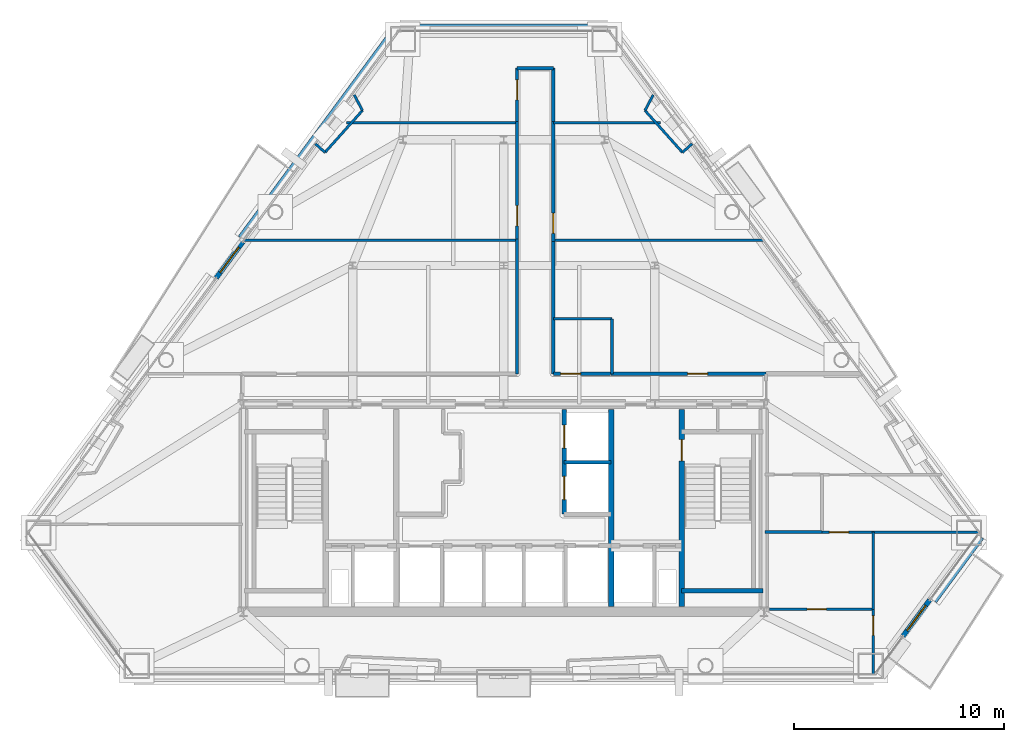
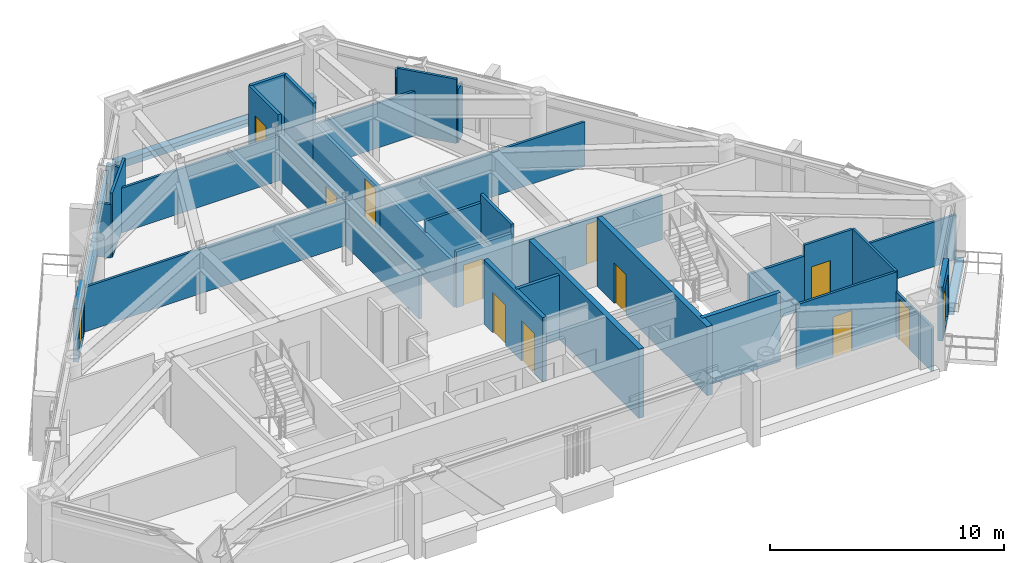
# One storey, part 8 of 11: 37 walls, 13 doors, 13 openings.
"""IFC4 building model written with IfcOpenShell, lengths in metres."""

import ifcopenshell
import ifcopenshell.guid

model = None  # the IFC model being written
_history = None  # IfcOwnerHistory: only IFC2X3 demands one
_inside = {}  # id of a spatial element -> (the spatial element, [elements in it])
_under = {}  # id of a project, library or spatial element -> (it, [spatial elements below it])
_declared = {}  # id of a project -> (the project, [libraries it declares])
_typed = {}  # id of a type object -> (the type object, [elements of that type])
_made_of = {}  # id of a material, layer set ... -> (it, [elements and type objects made of it])


def new_model(schema):
    """Start an empty IFC model of exactly this schema.

    Asked for "IFC4X3", IfcOpenShell would pick the latest addendum, in which some entities
    have other attributes; the version numbers below select the first issue.
    IFC2X3 requires an IfcOwnerHistory on every rooted entity: one is made here for all.
    """
    global model, _history
    if schema == "IFC4X3":
        model = ifcopenshell.file(schema_version=(4, 3, 0, 0))
    else:
        model = ifcopenshell.file(schema=schema)
    _inside.clear()
    _under.clear()
    _declared.clear()
    _typed.clear()
    _made_of.clear()
    _history = None
    if model.schema == "IFC2X3":
        org = make("IfcOrganization", Name="unknown")
        user = make(
            "IfcPersonAndOrganization",
            ThePerson=make("IfcPerson", FamilyName="unknown"),
            TheOrganization=org,
        )
        app = make(
            "IfcApplication",
            ApplicationDeveloper=org,
            Version="unknown",
            ApplicationFullName="unknown",
            ApplicationIdentifier="unknown",
        )
        _history = make(
            "IfcOwnerHistory",
            OwningUser=user,
            OwningApplication=app,
            ChangeAction="ADDED",
            CreationDate=0,
        )
    return model


def make(cls, **values):
    """One entity of the class cls with the attributes given. An attribute that is None is left unset."""
    return model.create_entity(
        cls, **{name: value for name, value in values.items() if value is not None}
    )


def rooted(cls, **values):
    """An entity with a GlobalId (a new one), such as an element, a storey or a relation."""
    return make(cls, GlobalId=ifcopenshell.guid.new(), OwnerHistory=_history, **values)


def si_unit(unit_type, name, prefix=None):
    """IfcSIUnit, for example si_unit("LENGTHUNIT", "METRE", prefix="MILLI")."""
    return make("IfcSIUnit", UnitType=unit_type, Prefix=prefix, Name=name)


def assignment(units):
    """IfcUnitAssignment: the units of a project."""
    return None if units is None else make("IfcUnitAssignment", Units=units)


def point(xyz):
    """IfcCartesianPoint."""
    return None if xyz is None else make("IfcCartesianPoint", Coordinates=xyz)


def direction(xyz):
    """IfcDirection."""
    return None if xyz is None else make("IfcDirection", DirectionRatios=xyz)


def frame(location, z_axis=None, x_axis=None):
    """IfcAxis2Placement3D, a coordinate frame: its origin and axes. An axis left out is left unset."""
    return make(
        "IfcAxis2Placement3D",
        Location=point(location),
        Axis=direction(z_axis),
        RefDirection=direction(x_axis),
    )


def frame_2d(location, x_axis=None):
    """IfcAxis2Placement2D, a coordinate frame in the plane: its origin and x axis."""
    return make(
        "IfcAxis2Placement2D", Location=point(location), RefDirection=direction(x_axis)
    )


def origin():
    """The frame at (0, 0, 0) with its axes left unset."""
    return frame((0.0, 0.0, 0.0))


def place(relative_to, where):
    """IfcLocalPlacement: puts the frame where relative to a parent placement (None: the world)."""
    return make(
        "IfcLocalPlacement", PlacementRelTo=relative_to, RelativePlacement=where
    )


def context(
    kind, dimensions, precision=None, world=None, true_north=None, identifier=None
):
    """IfcGeometricRepresentationContext, for example the 3D "Model" context."""
    return make(
        "IfcGeometricRepresentationContext",
        ContextIdentifier=identifier,
        ContextType=kind,
        CoordinateSpaceDimension=dimensions,
        Precision=precision,
        WorldCoordinateSystem=world,
        TrueNorth=true_north,
    )


def subcontext(parent, identifier, kind, view, scale=None):
    """IfcGeometricRepresentationSubContext, for example "Body" below "Model"."""
    return make(
        "IfcGeometricRepresentationSubContext",
        ContextIdentifier=identifier,
        ContextType=kind,
        ParentContext=parent,
        TargetScale=scale,
        TargetView=view,
    )


def project(units=None, contexts=None):
    """IfcProject with its units and contexts."""
    return rooted(
        "IfcProject",
        Name="project",
        RepresentationContexts=contexts,
        UnitsInContext=assignment(units),
    )


def spatial(cls, under=None, at=None, **own):
    """A site, building, storey or space (cls), placed at a placement, below another one or the project."""
    s = rooted(cls, ObjectPlacement=at, **own)
    if under is not None:
        _under.setdefault(under.id(), (under, []))[1].append(s)
    return s


def profile(cls, at=None, kind="AREA", **sizes):
    """A parametric profile (cls). Its sizes go by their IFC names, for example OverallWidth=200.0."""
    return make(cls, ProfileType=kind, Position=at, **sizes)


def rectangle(**sizes):
    """IfcRectangleProfileDef."""
    return profile("IfcRectangleProfileDef", **sizes)


def extrude(swept, where, along, depth):
    """IfcExtrudedAreaSolid: the profile swept, set in the frame where, extruded along a direction by depth."""
    return make(
        "IfcExtrudedAreaSolid",
        SweptArea=swept,
        Position=where,
        ExtrudedDirection=direction(along),
        Depth=depth,
    )


def shape(context_of_items, identifier, shape_type, items):
    """IfcShapeRepresentation: the items that make up one representation, for example the "Body"."""
    return make(
        "IfcShapeRepresentation",
        ContextOfItems=context_of_items,
        RepresentationIdentifier=identifier,
        RepresentationType=shape_type,
        Items=items,
    )


def material(Name=None, Category=None):
    """IfcMaterial."""
    return make("IfcMaterial", Name=Name, Category=Category)


def layer(
    of_material, thickness, ventilated=None, Name=None, Category=None, Priority=None
):
    """IfcMaterialLayer: one layer of a wall or slab, of a material (None: an air gap)."""
    return make(
        "IfcMaterialLayer",
        Material=of_material,
        LayerThickness=thickness,
        IsVentilated=ventilated,
        Name=Name,
        Category=Category,
        Priority=Priority,
    )


def layer_set(layers, Name=None):
    """IfcMaterialLayerSet."""
    return make("IfcMaterialLayerSet", MaterialLayers=layers, LayerSetName=Name)


def made_of(thing, what):
    """Note that an element or type object is made of a material, layer set ...; save() writes the relation."""
    if what is not None:
        _made_of.setdefault(what.id(), (what, []))[1].append(thing)
    return thing


def type_object(cls, material=None, **own):
    """A type object (cls), such as IfcWallType, which elements share."""
    return made_of(rooted(cls, **own), material)


def element(
    cls,
    number,
    at=None,
    inside=None,
    cuts=None,
    type_object=None,
    material=None,
    context=None,
    identifier="Body",
    shape_type=None,
    held_by="IfcProductDefinitionShape",
    body=None,
    shapes=None,
    **own,
):
    """One element of the class cls, such as IfcWall. Its Tag is "e" and its number.

    at: its placement. inside: the storey or other place that contains it. cuts: it is an
    opening in that element (IfcRelVoidsElement). A single representation is given by context,
    identifier, shape_type and body (its items); several are given by shapes. held_by: the class
    of the entity that holds the representations. save() writes the other relations.
    """
    e = rooted(cls, Tag="e%d" % number, ObjectPlacement=at, **own)
    if body is not None:
        shapes = [shape(context, identifier, shape_type, body)]
    if shapes is not None:
        e.Representation = make(held_by, Representations=shapes)
    if inside is not None:
        _inside.setdefault(inside.id(), (inside, []))[1].append(e)
    if cuts is not None:
        rooted(
            "IfcRelVoidsElement", RelatingBuildingElement=cuts, RelatedOpeningElement=e
        )
    if type_object is not None:
        _typed.setdefault(type_object.id(), (type_object, []))[1].append(e)
    return made_of(e, material)


def fill(opening, filler):
    """IfcRelFillsElement: the door or window that sits in an opening."""
    return rooted(
        "IfcRelFillsElement",
        RelatingOpeningElement=opening,
        RelatedBuildingElement=filler,
    )


def aggregate(whole, parts):
    """IfcRelAggregates: a whole, such as a stair, and the parts it consists of."""
    return rooted("IfcRelAggregates", RelatingObject=whole, RelatedObjects=parts)


def save(model, path):
    """Write the relations noted so far, then the file.

    IfcRelAggregates (storeys below a building ...), IfcRelContainedInSpatialStructure (elements
    in a storey), IfcRelDefinesByType, IfcRelAssociatesMaterial and IfcRelDeclares: one each for
    every whole, place, type object, material and project.
    """
    for whole, parts in _under.values():
        aggregate(whole, parts)
    for where, things in _inside.values():
        rooted(
            "IfcRelContainedInSpatialStructure",
            RelatedElements=things,
            RelatingStructure=where,
        )
    for kind, things in _typed.values():
        rooted("IfcRelDefinesByType", RelatedObjects=things, RelatingType=kind)
    for what, things in _made_of.values():
        rooted("IfcRelAssociatesMaterial", RelatedObjects=things, RelatingMaterial=what)
    for by, libraries in _declared.values():
        rooted("IfcRelDeclares", RelatingContext=by, RelatedDefinitions=libraries)
    model.write(path)


model = new_model("IFC4")

# Units and contexts
model_context = context("Model", 3, precision=1e-05, world=origin(), true_north=direction((0.0, 1.0)))
body_context = subcontext(model_context, "Body", "Model", "MODEL_VIEW")
ifc_project = project(units=[si_unit("LENGTHUNIT", "METRE"), si_unit("AREAUNIT", "SQUARE_METRE"), si_unit("VOLUMEUNIT", "CUBIC_METRE"), si_unit("PLANEANGLEUNIT", "RADIAN"), si_unit("MASSUNIT", "GRAM", prefix="KILO")], contexts=[model_context])

# Site, building, storey
site_placement = place(None, origin())
site = spatial("IfcSite", under=ifc_project, at=site_placement, CompositionType="ELEMENT")
building_placement = place(site_placement, origin())
building = spatial("IfcBuilding", under=site, at=building_placement, Name="Talgorran Terracotta Tower", CompositionType="ELEMENT")
storey_placement = place(building_placement, frame((0.0, 0.0, 154.5)))
storey = spatial("IfcBuildingStorey", under=building, at=storey_placement, Name="L40", CompositionType="ELEMENT", Elevation=154.5)

# Wall, opening, door
ifc_material_1 = material(Name="Concrete C40/50", Category="concrete")
ifc_layer_1 = layer(ifc_material_1, 0.239990234375, Name="WT_BALCONY_SPAND")
ifc_layer_set_1 = layer_set([ifc_layer_1], Name="Concrete C40/50")
wall_type_1 = type_object("IfcWallType", Name="WT_BALCONY_SPAND", PredefinedType="STANDARD", material=ifc_layer_set_1)
wall_1_placement = place(storey_placement, frame((-12.429443359375, 3.529052734375, -0.014892578125), z_axis=(0.0, 0.0, 1.0), x_axis=(-0.594050978498, -0.804427395696, 0.0)))
wall_1 = element("IfcWall", 1, at=wall_1_placement, inside=storey, type_object=wall_type_1, Name="WL-L40-BALP-BAL-NW", PredefinedType="STANDARD", context=body_context, shape_type="SweptSolid", body=[
    extrude(rectangle(XDim=2.139892578125, YDim=0.239990234375, at=frame_2d((1.06982421875, 0.0))), origin(), (0.0, 0.0, 1.0), 2.806884765625),
])
opening_1_placement = place(wall_1_placement, frame((0.320068359375, 0.0, 0.014892578125)))
opening_1 = element("IfcOpeningElement", 2, at=opening_1_placement, cuts=wall_1, Name="Opening D-BAL-L40-2", PredefinedType="OPENING", context=body_context, shape_type="SweptSolid", body=[
    extrude(rectangle(XDim=1.506, YDim=2.203951171875, at=frame_2d((0.75, 1.10205078125))), frame((0.0, 0.1298828125, 0.0), z_axis=(0.0, -1.0, 0.0), x_axis=(1.0, 0.0, 0.0)), (0.0, 0.0, 1.0), 0.260009765625),
])
ifc_material_2 = material(Name="Thermally Broken Aluminium", Category="aluminium")
door_type_1 = type_object("IfcDoorType", Name="DT_BALC_1500", OperationType="SLIDING_TO_RIGHT", PredefinedType="DOOR", material=ifc_material_2)
door_1_placement = place(opening_1_placement, origin())
door_1 = element("IfcDoor", 3, at=door_1_placement, inside=storey, type_object=door_type_1, Name="DR-L40-BAL-BAL-NW", OperationType="SLIDING_TO_RIGHT", OverallHeight=2.199951171875, OverallWidth=1.5, PredefinedType="DOOR", context=body_context, shape_type="SweptSolid", body=[
    extrude(rectangle(XDim=1.5, YDim=2.199951171875, at=frame_2d((0.75, 1.10009765625))), frame((0.0, 0.02490234375, 0.0), z_axis=(0.0, -1.0, 0.0), x_axis=(1.0, 0.0, 0.0)), (0.0, 0.0, 1.0), 0.050048828125),
])
fill(opening_1, door_1)

wall_2_placement = place(storey_placement, frame((19.028076171875, -15.25634765625, -0.014892578125), z_axis=(0.0, 0.0, 1.0), x_axis=(0.594124797079, 0.804372877151, 0.0)))
wall_2 = element("IfcWall", 4, at=wall_2_placement, inside=storey, type_object=wall_type_1, Name="WL-L40-BALP-BAL-SE", PredefinedType="STANDARD", context=body_context, shape_type="SweptSolid", body=[
    extrude(rectangle(XDim=2.14013671875, YDim=0.239990234375, at=frame_2d((1.070068359375, 0.0))), origin(), (0.0, 0.0, 1.0), 2.806884765625),
])
opening_2_placement = place(wall_2_placement, frame((0.320068359375, 0.0, 0.014892578125)))
opening_2 = element("IfcOpeningElement", 5, at=opening_2_placement, cuts=wall_2, Name="Opening D-BAL-L40-3", PredefinedType="OPENING", context=body_context, shape_type="SweptSolid", body=[
    extrude(rectangle(XDim=1.506, YDim=2.203951171875, at=frame_2d((0.75, 1.10205078125))), frame((0.0, 0.1298828125, 0.0), z_axis=(0.0, -1.0, 0.0), x_axis=(1.0, 0.0, 0.0)), (0.0, 0.0, 1.0), 0.260009765625),
])
door_2_placement = place(opening_2_placement, origin())
door_2 = element("IfcDoor", 6, at=door_2_placement, inside=storey, type_object=door_type_1, Name="DR-L40-BAL-BAL-SE", OperationType="SLIDING_TO_RIGHT", OverallHeight=2.199951171875, OverallWidth=1.5, PredefinedType="DOOR", context=body_context, shape_type="SweptSolid", body=[
    extrude(rectangle(XDim=1.5, YDim=2.199951171875, at=frame_2d((0.75, 1.10009765625))), frame((0.0, 0.02490234375, 0.0), z_axis=(0.0, -1.0, 0.0), x_axis=(1.0, 0.0, 0.0)), (0.0, 0.0, 1.0), 0.050048828125),
])
fill(opening_2, door_2)

# Wall
ifc_material_3 = material(Name="Concrete C50/60", Category="concrete")
ifc_layer_2 = layer(ifc_material_3, 0.199951171875, Name="WT_CORE_200")
ifc_layer_set_2 = layer_set([ifc_layer_2], Name="Concrete C50/60")
wall_type_2 = type_object("IfcWallType", Name="WT_CORE_200", PredefinedType="SOLIDWALL", material=ifc_layer_set_2)
wall_3_placement = place(storey_placement, frame((8.47998046875, -13.10009765625, 0.0), z_axis=(0.0, 0.0, 1.0), x_axis=(1.0, 0.0, 0.0)))
element("IfcWall", 7, at=wall_3_placement, inside=storey, type_object=wall_type_2, Name="WL-L40-CW-ST2-S", PredefinedType="SOLIDWALL", context=body_context, shape_type="SweptSolid", body=[
    extrude(rectangle(XDim=3.8701171875, YDim=0.199951171875, at=frame_2d((1.93505859375, 0.0))), origin(), (0.0, 0.0, 1.0), 3.60009765625),
])

# Wall, openings, doors
wall_4_placement = place(storey_placement, frame((2.8798828125, -9.449951171875, 0.0), z_axis=(0.0, 0.0, 1.0), x_axis=(0.0, 1.0, 0.0)))
wall_4 = element("IfcWall", 8, at=wall_4_placement, inside=storey, type_object=wall_type_2, Name="WL-L40-CW-V-E3", PredefinedType="SOLIDWALL", context=body_context, shape_type="SweptSolid", body=[
    extrude(rectangle(XDim=5.0, YDim=0.199951171875, at=frame_2d((2.5, 0.0))), origin(), (0.0, 0.0, 1.0), 3.35009765625),
])
opening_3_placement = place(wall_4_placement, frame((0.699951171875, 0.0, 0.0)))
opening_3 = element("IfcOpeningElement", 9, at=opening_3_placement, cuts=wall_4, Name="Opening LD-PLM1", PredefinedType="OPENING", context=body_context, shape_type="SweptSolid", body=[
    extrude(rectangle(XDim=1.10609765625, YDim=2.10409765625, at=frame_2d((0.550048828125, 1.052001953125))), frame((0.0, 0.10986328125, 0.0), z_axis=(0.0, -1.0, 0.0), x_axis=(1.0, 0.0, 0.0)), (0.0, 0.0, 1.0), 0.219970703125),
])
opening_4_placement = place(wall_4_placement, frame((3.14990234375, 0.0, 0.0)))
opening_4 = element("IfcOpeningElement", 10, at=opening_4_placement, cuts=wall_4, Name="Opening LD-PLM2", PredefinedType="OPENING", context=body_context, shape_type="SweptSolid", body=[
    extrude(rectangle(XDim=1.10609765625, YDim=2.10409765625, at=frame_2d((0.550048828125, 1.052001953125))), frame((0.0, 0.10986328125, 0.0), z_axis=(0.0, -1.0, 0.0), x_axis=(1.0, 0.0, 0.0)), (0.0, 0.0, 1.0), 0.219970703125),
])
ifc_material_4 = material(Name="Brushed Stainless Steel Grade 304", Category="steel")
door_type_2 = type_object("IfcDoorType", Name="DT_LIFT_LD1100", OperationType="DOUBLE_DOOR_SLIDING", PredefinedType="DOOR", material=ifc_material_4)
door_3_placement = place(opening_3_placement, origin())
door_3 = element("IfcDoor", 11, at=door_3_placement, inside=storey, type_object=door_type_2, Name="L40 Lift Landing Door LD-PLM1", OperationType="DOUBLE_DOOR_SLIDING", OverallHeight=2.10009765625, OverallWidth=1.10009765625, PredefinedType="DOOR", context=body_context, shape_type="SweptSolid", body=[
    extrude(rectangle(XDim=1.10009765625, YDim=2.10009765625, at=frame_2d((0.550048828125, 1.050048828125))), frame((0.0, 0.02490234375, 0.0), z_axis=(0.0, -1.0, 0.0), x_axis=(1.0, 0.0, 0.0)), (0.0, 0.0, 1.0), 0.050048828125),
])
fill(opening_3, door_3)
door_4_placement = place(opening_4_placement, origin())
door_4 = element("IfcDoor", 12, at=door_4_placement, inside=storey, type_object=door_type_2, Name="L40 Lift Landing Door LD-PLM2", OperationType="DOUBLE_DOOR_SLIDING", OverallHeight=2.10009765625, OverallWidth=1.10009765625, PredefinedType="DOOR", context=body_context, shape_type="SweptSolid", body=[
    extrude(rectangle(XDim=1.10009765625, YDim=2.10009765625, at=frame_2d((0.550048828125, 1.050048828125))), frame((0.0, 0.02490234375, 0.0), z_axis=(0.0, -1.0, 0.0), x_axis=(1.0, 0.0, 0.0)), (0.0, 0.0, 1.0), 0.050048828125),
])
fill(opening_4, door_4)

# Wall, opening, door
ifc_layer_3 = layer(ifc_material_3, 0.25, Name="WT_CORE_250")
ifc_layer_set_3 = layer_set([ifc_layer_3], Name="Concrete C50/60")
wall_type_3 = type_object("IfcWallType", Name="WT_CORE_250", PredefinedType="SHEAR", material=ifc_layer_set_3)
wall_5_placement = place(storey_placement, frame((8.47998046875, -13.85009765625, 0.0), z_axis=(0.0, 0.0, 1.0), x_axis=(0.0, 1.0, 0.0)))
wall_5 = element("IfcWall", 13, at=wall_5_placement, inside=storey, type_object=wall_type_3, Name="WL-L40-CW-V-E1", PredefinedType="SHEAR", context=body_context, shape_type="SweptSolid", body=[
    extrude(rectangle(XDim=9.400146484375, YDim=0.25, at=frame_2d((4.7001953125, 0.0))), origin(), (0.0, 0.0, 1.0), 3.60009765625),
])
opening_5_placement = place(wall_5_placement, frame((6.949951171875, 0.0, 0.0)))
opening_5 = element("IfcOpeningElement", 14, at=opening_5_placement, cuts=wall_5, Name="Opening DR-ST02", PredefinedType="OPENING", context=body_context, shape_type="SweptSolid", body=[
    extrude(rectangle(XDim=1.006, YDim=2.10409765625, at=frame_2d((0.5, 1.052001953125))), frame((0.0, 0.135009765625, 0.0), z_axis=(0.0, -1.0, 0.0), x_axis=(1.0, 0.0, 0.0)), (0.0, 0.0, 1.0), 0.27001953125),
])
ifc_material_5 = material(Name="Fire-Rated Pressed Steel", Category="steel")
door_type_3 = type_object("IfcDoorType", Name="DT_FIRE_1000", OperationType="NOTDEFINED", PredefinedType="DOOR", material=ifc_material_5)
door_5_placement = place(opening_5_placement, origin())
door_5 = element("IfcDoor", 15, at=door_5_placement, inside=storey, type_object=door_type_3, Name="DR-ST02", OperationType="SINGLE_SWING_RIGHT", OverallHeight=2.10009765625, OverallWidth=1.0, PredefinedType="DOOR", context=body_context, shape_type="SweptSolid", body=[
    extrude(rectangle(XDim=1.0, YDim=2.10009765625, at=frame_2d((0.5, 1.050048828125))), frame((0.0, 0.02490234375, 0.0), z_axis=(0.0, -1.0, 0.0), x_axis=(1.0, 0.0, 0.0)), (0.0, 0.0, 1.0), 0.050048828125),
])
fill(opening_5, door_5)

# Wall
wall_6_placement = place(storey_placement, frame((5.1201171875, -13.85009765625, 0.0), z_axis=(0.0, 0.0, 1.0), x_axis=(0.0, 1.0, 0.0)))
element("IfcWall", 16, at=wall_6_placement, inside=storey, type_object=wall_type_3, Name="WL-L40-CW-V-E2", PredefinedType="SHEAR", context=body_context, shape_type="SweptSolid", body=[
    extrude(rectangle(XDim=9.400146484375, YDim=0.25, at=frame_2d((4.7001953125, 0.0))), origin(), (0.0, 0.0, 1.0), 3.60009765625),
])

# Wall, opening, door
ifc_material_6 = material(Name="Fire-Rated Steel Stud Plasterboard", Category="steel")
ifc_layer_4 = layer(ifc_material_6, 0.14990234375, Name="WT_FIRE_150")
ifc_layer_set_4 = layer_set([ifc_layer_4], Name="Fire-Rated Steel Stud Plasterboard")
wall_type_4 = type_object("IfcWallType", Name="WT_FIRE_150", PredefinedType="PARTITIONING", material=ifc_layer_set_4)
wall_7_placement = place(storey_placement, frame((5.10009765625, -2.760009765625, 0.0), z_axis=(0.0, 0.0, 1.0), x_axis=(1.0, 0.0, 0.0)))
wall_7 = element("IfcWall", 17, at=wall_7_placement, inside=storey, type_object=wall_type_4, Name="WL-L40-W-L40-R06", PredefinedType="PARTITIONING", context=body_context, shape_type="SweptSolid", body=[
    extrude(rectangle(XDim=7.39990234375, YDim=0.14990234375, at=frame_2d((3.699951171875, 0.0))), origin(), (0.0, 0.0, 1.0), 2.324951171875),
])
opening_6_placement = place(wall_7_placement, frame((3.662841796875, 0.0, 0.0)))
opening_6 = element("IfcOpeningElement", 18, at=opening_6_placement, cuts=wall_7, Name="Opening DR-L40-R08", PredefinedType="OPENING", context=body_context, shape_type="SweptSolid", body=[
    extrude(rectangle(XDim=0.955951171875, YDim=2.10409765625, at=frame_2d((0.47509765625, 1.052001953125))), frame((0.0, 0.0849609375, 0.0), z_axis=(0.0, -1.0, 0.0), x_axis=(1.0, 0.0, 0.0)), (0.0, 0.0, 1.0), 0.169921875),
])
ifc_material_7 = material(Name="Fire-Rated Timber Core", Category="wood")
door_type_4 = type_object("IfcDoorType", Name="DT_FIRE_950", OperationType="NOTDEFINED", PredefinedType="DOOR", material=ifc_material_7)
door_6_placement = place(opening_6_placement, origin())
door_6 = element("IfcDoor", 19, at=door_6_placement, inside=storey, type_object=door_type_4, Name="DR-L40-R08", OperationType="SINGLE_SWING_RIGHT", OverallHeight=2.10009765625, OverallWidth=0.949951171875, PredefinedType="DOOR", context=body_context, shape_type="SweptSolid", body=[
    extrude(rectangle(XDim=0.949951171875, YDim=2.10009765625, at=frame_2d((0.47509765625, 1.050048828125))), frame((0.0, 0.02490234375, 0.0), z_axis=(0.0, -1.0, 0.0), x_axis=(1.0, 0.0, 0.0)), (0.0, 0.0, 1.0), 0.050048828125),
])
fill(opening_6, door_6)

# Wall
wall_8_placement = place(storey_placement, frame((0.639892578125, -2.760009765625, 0.0), z_axis=(0.0, 0.0, 1.0), x_axis=(0.0, 1.0, 0.0)))
element("IfcWall", 20, at=wall_8_placement, inside=storey, type_object=wall_type_4, Name="WL-L40-W-L40-R13", PredefinedType="PARTITIONING", context=body_context, shape_type="SweptSolid", body=[
    extrude(rectangle(XDim=6.419921875, YDim=0.14990234375, at=frame_2d((3.2099609375, 0.0))), origin(), (0.0, 0.0, 1.0), 2.324951171875),
])

# Wall, opening, door
wall_9_placement = place(storey_placement, frame((0.639892578125, 3.662109375, 0.0), z_axis=(0.0, 0.0, 1.0), x_axis=(0.0, 1.0, 0.0)))
wall_9 = element("IfcWall", 21, at=wall_9_placement, inside=storey, type_object=wall_type_4, Name="WL-L40-W-L40-R04", PredefinedType="PARTITIONING", context=body_context, shape_type="SweptSolid", body=[
    extrude(rectangle(XDim=5.597900390625, YDim=0.14990234375, at=frame_2d((2.798828125, 0.0))), origin(), (0.0, 0.0, 1.0), 2.324951171875),
])
opening_7_placement = place(wall_9_placement, frame((0.6337890625, 0.0, 0.0)))
opening_7 = element("IfcOpeningElement", 22, at=opening_7_placement, cuts=wall_9, Name="Opening DR-L40-R07", PredefinedType="OPENING", context=body_context, shape_type="SweptSolid", body=[
    extrude(rectangle(XDim=0.955951171875, YDim=2.10409765625, at=frame_2d((0.47509765625, 1.052001953125))), frame((0.0, 0.0849609375, 0.0), z_axis=(0.0, -1.0, 0.0), x_axis=(1.0, 0.0, 0.0)), (0.0, 0.0, 1.0), 0.169921875),
])
door_7_placement = place(opening_7_placement, origin())
door_7 = element("IfcDoor", 23, at=door_7_placement, inside=storey, type_object=door_type_4, Name="DR-L40-R07", OperationType="SINGLE_SWING_LEFT", OverallHeight=2.10009765625, OverallWidth=0.949951171875, PredefinedType="DOOR", context=body_context, shape_type="SweptSolid", body=[
    extrude(rectangle(XDim=0.949951171875, YDim=2.10009765625, at=frame_2d((0.47509765625, 1.050048828125))), frame((0.0, 0.02490234375, 0.0), z_axis=(0.0, -1.0, 0.0), x_axis=(1.0, 0.0, 0.0)), (0.0, 0.0, 1.0), 0.050048828125),
])
fill(opening_7, door_7)

wall_10_placement = place(storey_placement, frame((2.360107421875, 3.5400390625, 0.0), z_axis=(0.0, 0.0, 1.0), x_axis=(0.0, 1.0, 0.0)))
wall_10 = element("IfcWall", 24, at=wall_10_placement, inside=storey, type_object=wall_type_4, Name="WL-L40-W-L40-R07", PredefinedType="PARTITIONING", context=body_context, shape_type="SweptSolid", body=[
    extrude(rectangle(XDim=5.719970703125, YDim=0.14990234375, at=frame_2d((2.85986328125, 0.0))), origin(), (0.0, 0.0, 1.0), 2.324951171875),
])
opening_8_placement = place(wall_10_placement, frame((0.398193359375, 0.0, 0.0)))
opening_8 = element("IfcOpeningElement", 25, at=opening_8_placement, cuts=wall_10, Name="Opening DR-L40-R09", PredefinedType="OPENING", context=body_context, shape_type="SweptSolid", body=[
    extrude(rectangle(XDim=0.955951171875, YDim=2.10409765625, at=frame_2d((0.47509765625, 1.052001953125))), frame((0.0, 0.0849609375, 0.0), z_axis=(0.0, -1.0, 0.0), x_axis=(1.0, 0.0, 0.0)), (0.0, 0.0, 1.0), 0.169921875),
])
door_8_placement = place(opening_8_placement, origin())
door_8 = element("IfcDoor", 26, at=door_8_placement, inside=storey, type_object=door_type_4, Name="DR-L40-R09", OperationType="SINGLE_SWING_LEFT", OverallHeight=2.10009765625, OverallWidth=0.949951171875, PredefinedType="DOOR", context=body_context, shape_type="SweptSolid", body=[
    extrude(rectangle(XDim=0.949951171875, YDim=2.10009765625, at=frame_2d((0.47509765625, 1.050048828125))), frame((0.0, 0.02490234375, 0.0), z_axis=(0.0, -1.0, 0.0), x_axis=(1.0, 0.0, 0.0)), (0.0, 0.0, 1.0), 0.050048828125),
])
fill(opening_8, door_8)

# Wall
wall_11_placement = place(storey_placement, frame((2.360107421875, -2.760009765625, 0.0), z_axis=(0.0, 0.0, 1.0), x_axis=(0.0, 1.0, 0.0)))
element("IfcWall", 27, at=wall_11_placement, inside=storey, type_object=wall_type_4, Name="WL-L40-W-L40-R05", PredefinedType="PARTITIONING", context=body_context, shape_type="SweptSolid", body=[
    extrude(rectangle(XDim=6.298095703125, YDim=0.14990234375, at=frame_2d((3.14892578125, 0.0))), origin(), (0.0, 0.0, 1.0), 2.324951171875),
])

# Wall, opening, door
wall_12_placement = place(storey_placement, frame((2.360107421875, -2.760009765625, 0.0), z_axis=(0.0, 0.0, 1.0), x_axis=(1.0, 0.0, 0.0)))
wall_12 = element("IfcWall", 28, at=wall_12_placement, inside=storey, type_object=wall_type_4, Name="WL-L40-W-L40-R02", PredefinedType="PARTITIONING", context=body_context, shape_type="SweptSolid", body=[
    extrude(rectangle(XDim=2.73779296875, YDim=0.14990234375, at=frame_2d((1.368896484375, 0.0))), origin(), (0.0, 0.0, 1.0), 2.918701171875),
])
opening_9_placement = place(wall_12_placement, frame((0.355712890625, 0.0, 0.0)))
opening_9 = element("IfcOpeningElement", 29, at=opening_9_placement, cuts=wall_12, Name="Opening DR-L40-R01", PredefinedType="OPENING", context=body_context, shape_type="SweptSolid", body=[
    extrude(rectangle(XDim=0.955951171875, YDim=2.10409765625, at=frame_2d((0.47509765625, 1.052001953125))), frame((0.0, 0.0849609375, 0.0), z_axis=(0.0, -1.0, 0.0), x_axis=(1.0, 0.0, 0.0)), (0.0, 0.0, 1.0), 0.169921875),
])
door_9_placement = place(opening_9_placement, origin())
door_9 = element("IfcDoor", 30, at=door_9_placement, inside=storey, type_object=door_type_4, Name="DR-L40-R01", OperationType="SINGLE_SWING_LEFT", OverallHeight=2.10009765625, OverallWidth=0.949951171875, PredefinedType="DOOR", context=body_context, shape_type="SweptSolid", body=[
    extrude(rectangle(XDim=0.949951171875, YDim=2.10009765625, at=frame_2d((0.47509765625, 1.050048828125))), frame((0.0, 0.02490234375, 0.0), z_axis=(0.0, -1.0, 0.0), x_axis=(1.0, 0.0, 0.0)), (0.0, 0.0, 1.0), 0.050048828125),
])
fill(opening_9, door_9)

wall_13_placement = place(storey_placement, frame((0.639892578125, 9.261962890625, 0.0), z_axis=(0.0, 0.0, 1.0), x_axis=(0.0, 1.0, 0.0)))
wall_13 = element("IfcWall", 31, at=wall_13_placement, inside=storey, type_object=wall_type_4, Name="WL-L40-W-L40-R08", PredefinedType="PARTITIONING", context=body_context, shape_type="SweptSolid", body=[
    extrude(rectangle(XDim=2.5380859375, YDim=0.14990234375, at=frame_2d((1.26904296875, 0.0))), origin(), (0.0, 0.0, 1.0), 3.35009765625),
])
opening_10_placement = place(wall_13_placement, frame((1.031005859375, 0.0, 0.0)))
opening_10 = element("IfcOpeningElement", 32, at=opening_10_placement, cuts=wall_13, Name="Opening DR-L40-R10", PredefinedType="OPENING", context=body_context, shape_type="SweptSolid", body=[
    extrude(rectangle(XDim=0.955951171875, YDim=2.10409765625, at=frame_2d((0.47509765625, 1.052001953125))), frame((0.0, 0.0849609375, 0.0), z_axis=(0.0, -1.0, 0.0), x_axis=(1.0, 0.0, 0.0)), (0.0, 0.0, 1.0), 0.169921875),
])
door_10_placement = place(opening_10_placement, origin())
door_10 = element("IfcDoor", 33, at=door_10_placement, inside=storey, type_object=door_type_4, Name="DR-L40-R10", OperationType="SINGLE_SWING_RIGHT", OverallHeight=2.10009765625, OverallWidth=0.949951171875, PredefinedType="DOOR", context=body_context, shape_type="SweptSolid", body=[
    extrude(rectangle(XDim=0.949951171875, YDim=2.10009765625, at=frame_2d((0.47509765625, 1.050048828125))), frame((0.0, 0.02490234375, 0.0), z_axis=(0.0, -1.0, 0.0), x_axis=(1.0, 0.0, 0.0)), (0.0, 0.0, 1.0), 0.050048828125),
])
fill(opening_10, door_10)

# Walls
wall_14_placement = place(storey_placement, frame((2.360107421875, 9.261962890625, 0.0), z_axis=(0.0, 0.0, 1.0), x_axis=(0.0, 1.0, 0.0)))
element("IfcWall", 34, at=wall_14_placement, inside=storey, type_object=wall_type_4, Name="WL-L40-W-L40-R10", PredefinedType="PARTITIONING", context=body_context, shape_type="SweptSolid", body=[
    extrude(rectangle(XDim=2.5380859375, YDim=0.14990234375, at=frame_2d((1.26904296875, 0.0))), origin(), (0.0, 0.0, 1.0), 3.35009765625),
])
wall_15_placement = place(storey_placement, frame((0.639892578125, 11.800048828125, 0.0), z_axis=(0.0, 0.0, 1.0), x_axis=(1.0, 0.0, 0.0)))
element("IfcWall", 35, at=wall_15_placement, inside=storey, type_object=wall_type_4, Name="WL-L40-W-L40-R09", PredefinedType="PARTITIONING", context=body_context, shape_type="SweptSolid", body=[
    extrude(rectangle(XDim=1.72021484375, YDim=0.14990234375, at=frame_2d((0.860107421875, 0.0))), origin(), (0.0, 0.0, 1.0), 3.35009765625),
])
ifc_layer_5 = layer(ifc_material_1, 0.219970703125, Name="WT_PARAPET_RC")
ifc_layer_set_5 = layer_set([ifc_layer_5], Name="Concrete C40/50")
wall_type_5 = type_object("IfcWallType", Name="WT_PARAPET_RC", PredefinedType="PARAPET", material=ifc_layer_set_5)
wall_16_placement = place(storey_placement, frame((20.481689453125, -13.5576171875, -0.199951171875), z_axis=(0.0, 0.0, 1.0), x_axis=(0.59405075876, 0.804427557967, 0.0)))
element("IfcWall", 36, at=wall_16_placement, inside=storey, type_object=wall_type_5, Name="L40 Striped Portal Precast Cornice F31", PredefinedType="PARAPET", context=body_context, shape_type="SweptSolid", body=[
    extrude(rectangle(XDim=3.772705078125, YDim=0.360107421875, at=frame_2d((1.88623046875, 0.0))), origin(), (0.0, 0.0, 1.0), 0.3798828125),
])
wall_17_placement = place(storey_placement, frame((4.927978515625, 13.73779296875, -0.199951171875), z_axis=(0.0, 0.0, 1.0), x_axis=(-1.0, 0.0, 0.0)))
element("IfcWall", 37, at=wall_17_placement, inside=storey, type_object=wall_type_5, Name="L40 Striped Portal Precast Cornice F4", PredefinedType="PARAPET", context=body_context, shape_type="SweptSolid", body=[
    extrude(rectangle(XDim=9.85595703125, YDim=0.360107421875, at=frame_2d((4.927978515625, 0.0))), origin(), (0.0, 0.0, 1.0), 0.3798828125),
])
wall_18_placement = place(storey_placement, frame((-5.2080078125, 13.576416015625, -0.199951171875), z_axis=(0.0, 0.0, 1.0), x_axis=(-0.594071325753, -0.804412369322, 0.0)))
element("IfcWall", 38, at=wall_18_placement, inside=storey, type_object=wall_type_5, Name="L40 Striped Portal Precast Cornice F60", PredefinedType="PARAPET", context=body_context, shape_type="SweptSolid", body=[
    extrude(rectangle(XDim=12.282470703125, YDim=0.360107421875, at=frame_2d((6.14111328125, 0.0))), origin(), (0.0, 0.0, 1.0), 0.3798828125),
])
ifc_material_8 = material(Name="Insulated Steel Stud Plasterboard", Category="steel")
ifc_layer_6 = layer(ifc_material_8, 0.1201171875, Name="WT_PART_120")
ifc_layer_set_6 = layer_set([ifc_layer_6], Name="Insulated Steel Stud Plasterboard")
wall_type_6 = type_object("IfcWallType", Name="WT_PART_120", PredefinedType="PARTITIONING", material=ifc_layer_set_6)
wall_19_placement = place(storey_placement, frame((-12.376953125, 3.60009765625, 0.0), z_axis=(0.0, 0.0, 1.0), x_axis=(1.0, 0.0, 0.0)))
element("IfcWall", 39, at=wall_19_placement, inside=storey, type_object=wall_type_6, Name="WL-L40-W-L40-R28", PredefinedType="PARTITIONING", context=body_context, shape_type="SweptSolid", body=[
    extrude(rectangle(XDim=13.016845703125, YDim=0.1201171875, at=frame_2d((6.50830078125, 0.0))), origin(), (0.0, 0.0, 1.0), 2.324951171875),
])
wall_20_placement = place(storey_placement, frame((2.360107421875, 3.60009765625, 0.0), z_axis=(0.0, 0.0, 1.0), x_axis=(1.0, 0.0, 0.0)))
element("IfcWall", 40, at=wall_20_placement, inside=storey, type_object=wall_type_6, Name="WL-L40-W-L40-R29", PredefinedType="PARTITIONING", context=body_context, shape_type="SweptSolid", body=[
    extrude(rectangle(XDim=10.016845703125, YDim=0.1201171875, at=frame_2d((5.00830078125, 0.0))), origin(), (0.0, 0.0, 1.0), 2.324951171875),
])
wall_21_placement = place(storey_placement, frame((-7.47998046875, 9.199951171875, 0.0), z_axis=(0.0, 0.0, 1.0), x_axis=(1.0, 0.0, 0.0)))
element("IfcWall", 41, at=wall_21_placement, inside=storey, type_object=wall_type_6, Name="WL-L40-W-L40-R27", PredefinedType="PARTITIONING", context=body_context, shape_type="SweptSolid", body=[
    extrude(rectangle(XDim=8.119873046875, YDim=0.1201171875, at=frame_2d((4.06005859375, 0.0))), origin(), (0.0, 0.0, 1.0), 2.324951171875),
])

# Wall, opening, door
wall_22_placement = place(storey_placement, frame((12.652099609375, -13.97998046875, 0.0), z_axis=(0.0, 0.0, 1.0), x_axis=(1.0, 0.0, 0.0)))
wall_22 = element("IfcWall", 42, at=wall_22_placement, inside=storey, type_object=wall_type_6, Name="WL-L40-W-L40-R24", PredefinedType="PARTITIONING", context=body_context, shape_type="SweptSolid", body=[
    extrude(rectangle(XDim=4.947998046875, YDim=0.1201171875, at=frame_2d((2.47412109375, 0.0))), origin(), (0.0, 0.0, 1.0), 3.35009765625),
])
opening_11_placement = place(wall_22_placement, frame((1.79931640625, 0.0, 0.0)))
opening_11 = element("IfcOpeningElement", 43, at=opening_11_placement, cuts=wall_22, Name="Opening DR-L40-R06", PredefinedType="OPENING", context=body_context, shape_type="SweptSolid", body=[
    extrude(rectangle(XDim=0.925921875, YDim=2.10409765625, at=frame_2d((0.4599609375, 1.052001953125))), frame((0.0, 0.070068359375, 0.0), z_axis=(0.0, -1.0, 0.0), x_axis=(1.0, 0.0, 0.0)), (0.0, 0.0, 1.0), 0.14013671875),
])
ifc_material_9 = material(Name="Solid-Core Painted Timber", Category="wood")
door_type_5 = type_object("IfcDoorType", Name="DT_INT_920", OperationType="NOTDEFINED", PredefinedType="DOOR", material=ifc_material_9)
door_11_placement = place(opening_11_placement, origin())
door_11 = element("IfcDoor", 44, at=door_11_placement, inside=storey, type_object=door_type_5, Name="DR-L40-R06", OperationType="SINGLE_SWING_RIGHT", OverallHeight=2.10009765625, OverallWidth=0.919921875, PredefinedType="DOOR", context=body_context, shape_type="SweptSolid", body=[
    extrude(rectangle(XDim=0.919921875, YDim=2.10009765625, at=frame_2d((0.4599609375, 1.050048828125))), frame((0.0, 0.02490234375, 0.0), z_axis=(0.0, -1.0, 0.0), x_axis=(1.0, 0.0, 0.0)), (0.0, 0.0, 1.0), 0.050048828125),
])
fill(opening_11, door_11)

# Walls
wall_23_placement = place(storey_placement, frame((2.360107421875, 9.199951171875, 0.0), z_axis=(0.0, 0.0, 1.0), x_axis=(1.0, 0.0, 0.0)))
element("IfcWall", 45, at=wall_23_placement, inside=storey, type_object=wall_type_6, Name="WL-L40-W-L40-R30", PredefinedType="PARTITIONING", context=body_context, shape_type="SweptSolid", body=[
    extrude(rectangle(XDim=5.119873046875, YDim=0.1201171875, at=frame_2d((2.56005859375, 0.0))), origin(), (0.0, 0.0, 1.0), 2.324951171875),
])
wall_24_placement = place(storey_placement, frame((17.5400390625, -10.300048828125, 0.0), z_axis=(0.0, 0.0, 1.0), x_axis=(1.0, 0.0, 0.0)))
element("IfcWall", 46, at=wall_24_placement, inside=storey, type_object=wall_type_6, Name="WL-L40-W-L40-R23", PredefinedType="PARTITIONING", context=body_context, shape_type="SweptSolid", body=[
    extrude(rectangle(XDim=5.1025390625, YDim=0.1201171875, at=frame_2d((2.55126953125, 0.0))), origin(), (0.0, 0.0, 1.0), 2.324951171875),
])
wall_25_placement = place(storey_placement, frame((17.60009765625, -13.97998046875, 0.0), z_axis=(0.0, 0.0, 1.0), x_axis=(0.0, 1.0, 0.0)))
element("IfcWall", 47, at=wall_25_placement, inside=storey, type_object=wall_type_6, Name="WL-L40-W-L40-R26", PredefinedType="PARTITIONING", context=body_context, shape_type="SweptSolid", body=[
    extrude(rectangle(XDim=3.679931640625, YDim=0.1201171875, at=frame_2d((1.83984375, 0.0))), origin(), (0.0, 0.0, 1.0), 3.35009765625),
])

# Wall, opening, door
wall_26_placement = place(storey_placement, frame((17.60009765625, -17.074462890625, 0.0), z_axis=(0.0, 0.0, 1.0), x_axis=(0.0, 1.0, 0.0)))
wall_26 = element("IfcWall", 48, at=wall_26_placement, inside=storey, type_object=wall_type_6, Name="WL-L40-W-L40-R25", PredefinedType="PARTITIONING", context=body_context, shape_type="SweptSolid", body=[
    extrude(rectangle(XDim=3.094482421875, YDim=0.1201171875, at=frame_2d((1.54736328125, 0.0))), origin(), (0.0, 0.0, 1.0), 2.324951171875),
])
opening_12_placement = place(wall_26_placement, frame((1.85498046875, 0.0, 0.0)))
opening_12 = element("IfcOpeningElement", 49, at=opening_12_placement, cuts=wall_26, Name="Opening DR-L40-R05", PredefinedType="OPENING", context=body_context, shape_type="SweptSolid", body=[
    extrude(rectangle(XDim=0.925921875, YDim=2.10409765625, at=frame_2d((0.4599609375, 1.052001953125))), frame((0.0, 0.070068359375, 0.0), z_axis=(0.0, -1.0, 0.0), x_axis=(1.0, 0.0, 0.0)), (0.0, 0.0, 1.0), 0.14013671875),
])
door_12_placement = place(opening_12_placement, origin())
door_12 = element("IfcDoor", 50, at=door_12_placement, inside=storey, type_object=door_type_5, Name="DR-L40-R05", OperationType="SINGLE_SWING_LEFT", OverallHeight=2.10009765625, OverallWidth=0.919921875, PredefinedType="DOOR", context=body_context, shape_type="SweptSolid", body=[
    extrude(rectangle(XDim=0.919921875, YDim=2.10009765625, at=frame_2d((0.4599609375, 1.050048828125))), frame((0.0, 0.02490234375, 0.0), z_axis=(0.0, -1.0, 0.0), x_axis=(1.0, 0.0, 0.0)), (0.0, 0.0, 1.0), 0.050048828125),
])
fill(opening_12, door_12)

# Walls
for number, where, z_axis, x_axis, name in (
    (51, (-6.730224609375, 9.786865234375, 0.0), (0.0, 0.0, 1.0), (-0.666312659733, -0.745672474669, 0.0), "WL-L40-BW-L40-15"),
    (52, (8.515625, 7.788818359375, 0.0), (0.0, 0.0, 1.0), (-0.666312659733, 0.745672474669, 0.0), "WL-L40-BW-L40-18"),
):
    element("IfcWall", number, at=place(storey_placement, frame(where, z_axis=z_axis, x_axis=x_axis)), inside=storey, type_object=wall_type_6, Name=name, PredefinedType="PARTITIONING", context=body_context, shape_type="SweptSolid", body=[
        extrude(rectangle(XDim=2.679443359375, YDim=0.1201171875, at=frame_2d((1.33984375, 0.0))), origin(), (0.0, 0.0, 1.0), 3.35009765625),
    ])

# Wall, opening, door
wall_27_placement = place(storey_placement, frame((15.159912109375, -10.300048828125, 0.0), z_axis=(0.0, 0.0, 1.0), x_axis=(1.0, 0.0, 0.0)))
wall_27 = element("IfcWall", 53, at=wall_27_placement, inside=storey, type_object=wall_type_6, Name="WL-L40-W-L40-R22", PredefinedType="PARTITIONING", context=body_context, shape_type="SweptSolid", body=[
    extrude(rectangle(XDim=2.378173828125, YDim=0.1201171875, at=frame_2d((1.18896484375, 0.0))), origin(), (0.0, 0.0, 1.0), 3.35009765625),
])
opening_13_placement = place(wall_27_placement, frame((0.3564453125, 0.0, 0.0)))
opening_13 = element("IfcOpeningElement", 54, at=opening_13_placement, cuts=wall_27, Name="Opening DR-L40-R14", PredefinedType="OPENING", context=body_context, shape_type="SweptSolid", body=[
    extrude(rectangle(XDim=0.925921875, YDim=2.10409765625, at=frame_2d((0.4599609375, 1.052001953125))), frame((0.0, 0.070068359375, 0.0), z_axis=(0.0, -1.0, 0.0), x_axis=(1.0, 0.0, 0.0)), (0.0, 0.0, 1.0), 0.14013671875),
])
door_13_placement = place(opening_13_placement, origin())
door_13 = element("IfcDoor", 55, at=door_13_placement, inside=storey, type_object=door_type_5, Name="DR-L40-R14", OperationType="SINGLE_SWING_RIGHT", OverallHeight=2.10009765625, OverallWidth=0.919921875, PredefinedType="DOOR", context=body_context, shape_type="SweptSolid", body=[
    extrude(rectangle(XDim=0.919921875, YDim=2.10009765625, at=frame_2d((0.4599609375, 1.050048828125))), frame((0.0, 0.02490234375, 0.0), z_axis=(0.0, -1.0, 0.0), x_axis=(1.0, 0.0, 0.0)), (0.0, 0.0, 1.0), 0.050048828125),
])
fill(opening_13, door_13)

# Walls
for number, where, z_axis, x_axis, name in (
    (56, (-7.122802734375, 10.52685546875, 0.0), (0.0, 0.0, 1.0), (0.468650828585, -0.883383495921, 0.0), "WL-L40-BW-L40-14"),
    (57, (6.730224609375, 9.786865234375, 0.0), (0.0, 0.0, 1.0), (0.468650828585, 0.883383495921, 0.0), "WL-L40-BW-L40-19"),
):
    element("IfcWall", number, at=place(storey_placement, frame(where, z_axis=z_axis, x_axis=x_axis)), inside=storey, type_object=wall_type_6, Name=name, PredefinedType="PARTITIONING", context=body_context, shape_type="SweptSolid", body=[
        extrude(rectangle(XDim=0.837646484375, YDim=0.1201171875, at=frame_2d((0.4189453125, 0.0))), origin(), (0.0, 0.0, 1.0), 2.7919921875),
    ])
for number, where, z_axis, x_axis, name in (
    (58, (-8.515625, 7.788818359375, 0.0), (0.0, 0.0, 1.0), (-0.745596898323, 0.666397227793, 0.0), "WL-L40-BW-L40-16"),
    (59, (8.970703125, 8.195556640625, 0.0), (0.0, 0.0, 1.0), (-0.745596898323, -0.666397227793, 0.0), "WL-L40-BW-L40-17"),
):
    element("IfcWall", number, at=place(storey_placement, frame(where, z_axis=z_axis, x_axis=x_axis)), inside=storey, type_object=wall_type_6, Name=name, PredefinedType="PARTITIONING", context=body_context, shape_type="SweptSolid", body=[
        extrude(rectangle(XDim=0.6103515625, YDim=0.1201171875, at=frame_2d((0.30517578125, 0.0))), origin(), (0.0, 0.0, 1.0), 2.7919921875),
    ])
ifc_material_10 = material(Name="Moisture-Resistant Stud Wall")
ifc_layer_7 = layer(ifc_material_10, 0.135009765625, Name="WT_PART_135")
ifc_layer_set_7 = layer_set([ifc_layer_7], Name="Moisture-Resistant Stud Wall")
wall_type_7 = type_object("IfcWallType", Name="WT_PART_135", PredefinedType="PARTITIONING", material=ifc_layer_set_7)
wall_28_placement = place(storey_placement, frame((2.360107421875, -0.139892578125, 0.0), z_axis=(0.0, 0.0, 1.0), x_axis=(1.0, 0.0, 0.0)))
element("IfcWall", 60, at=wall_28_placement, inside=storey, type_object=wall_type_7, Name="WL-L40-W-L40-R14", PredefinedType="PARTITIONING", context=body_context, shape_type="SweptSolid", body=[
    extrude(rectangle(XDim=2.7998046875, YDim=0.135009765625, at=frame_2d((1.39990234375, 0.0))), origin(), (0.0, 0.0, 1.0), 2.918701171875),
])
wall_29_placement = place(storey_placement, frame((12.43994140625, -10.300048828125, 0.0), z_axis=(0.0, 0.0, 1.0), x_axis=(1.0, 0.0, 0.0)))
element("IfcWall", 61, at=wall_29_placement, inside=storey, type_object=wall_type_7, Name="WL-L40-W-L40-R21", PredefinedType="PARTITIONING", context=body_context, shape_type="SweptSolid", body=[
    extrude(rectangle(XDim=2.719970703125, YDim=0.135009765625, at=frame_2d((1.35986328125, 0.0))), origin(), (0.0, 0.0, 1.0), 2.7919921875),
])
wall_30_placement = place(storey_placement, frame((5.159912109375, -2.760009765625, 0.0), z_axis=(0.0, 0.0, 1.0), x_axis=(0.0, 1.0, 0.0)))
element("IfcWall", 62, at=wall_30_placement, inside=storey, type_object=wall_type_7, Name="WL-L40-W-L40-R15", PredefinedType="PARTITIONING", context=body_context, shape_type="SweptSolid", body=[
    extrude(rectangle(XDim=2.6201171875, YDim=0.135009765625, at=frame_2d((1.31005859375, 0.0))), origin(), (0.0, 0.0, 1.0), 3.35009765625),
])
ifc_material_11 = material(Name="Fire-Rated Shaftwall")
ifc_layer_8 = layer(ifc_material_11, 0.159912109375, Name="WT_PART_150")
ifc_layer_set_8 = layer_set([ifc_layer_8], Name="Fire-Rated Shaftwall")
wall_type_8 = type_object("IfcWallType", Name="WT_PART_150", PredefinedType="PARTITIONING", material=ifc_layer_set_8)
wall_31_placement = place(storey_placement, frame((2.8798828125, -6.97998046875, 0.0), z_axis=(0.0, 0.0, 1.0), x_axis=(1.0, 0.0, 0.0)))
element("IfcWall", 63, at=wall_31_placement, inside=storey, type_object=wall_type_8, Name="WL-L40-CW-PLM-DIV", PredefinedType="PARTITIONING", context=body_context, shape_type="SweptSolid", body=[
    extrude(rectangle(XDim=2.240234375, YDim=0.159912109375, at=frame_2d((1.1201171875, 0.0))), origin(), (0.0, 0.0, 1.0), 3.35009765625),
])

save(model, "model.ifc")
